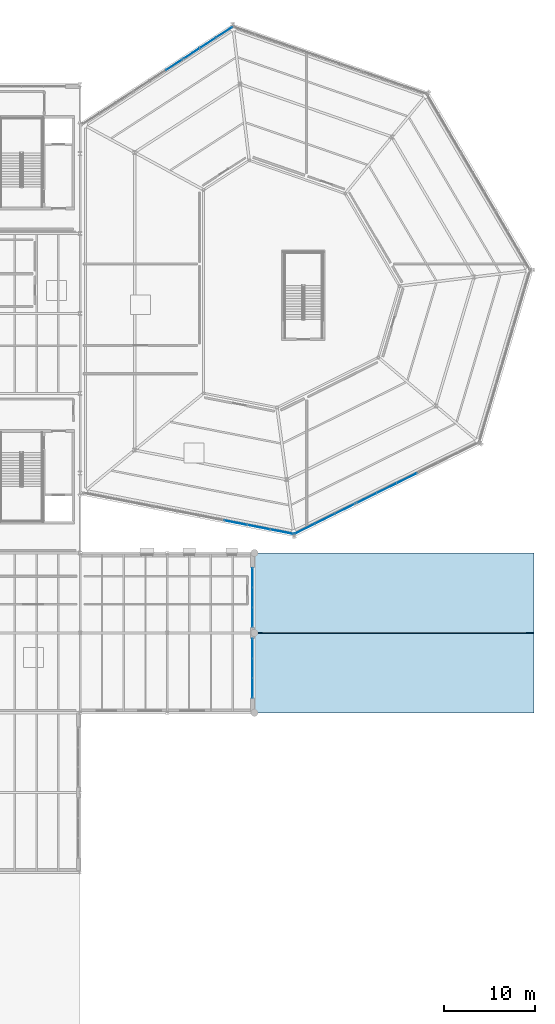
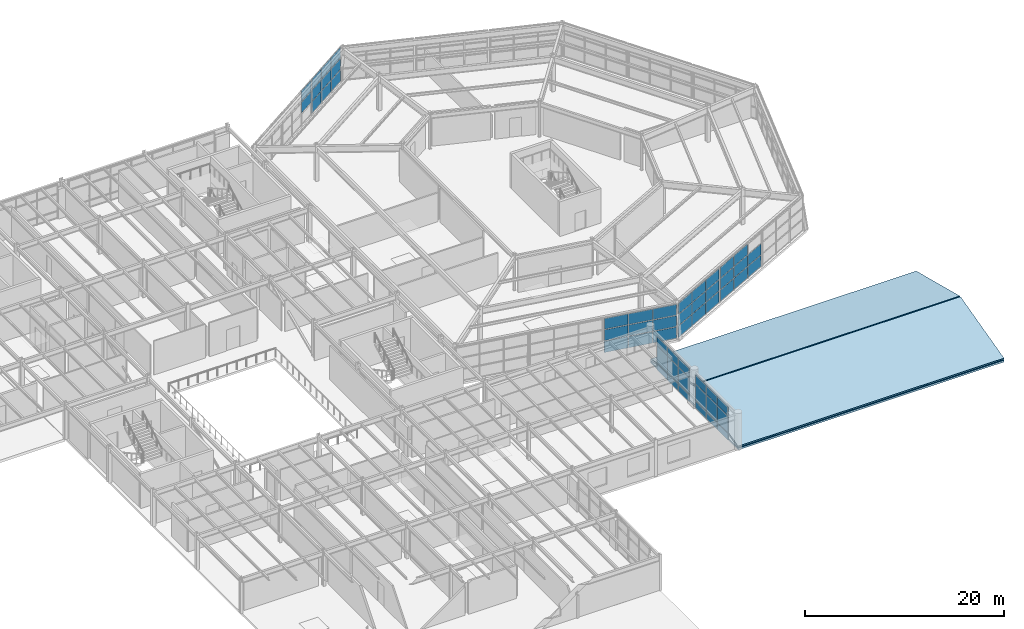
# One storey, part 50 of 77: 55 plates, 3 slabs, 7 elements without a shape of their own.
"""IFC4 building model written with IfcOpenShell, lengths in metres."""

from ifc_helpers import new_model, si_unit, direction, frame, origin, origin_2d, place, context, subcontext, project, spatial, polyline, rectangle, outline, extrude, material, layer, layer_set, type_object, element, aggregate, save


model = new_model("IFC4")

# Units and contexts
model_context = context("Model", 3, precision=1e-05, world=origin(), true_north=direction((0.0, 1.0)))
body_context = subcontext(model_context, "Body", "Model", "MODEL_VIEW")
ifc_project = project(units=[si_unit("LENGTHUNIT", "METRE"), si_unit("AREAUNIT", "SQUARE_METRE"), si_unit("VOLUMEUNIT", "CUBIC_METRE"), si_unit("PLANEANGLEUNIT", "RADIAN"), si_unit("MASSUNIT", "GRAM", prefix="KILO")], contexts=[model_context])

# Site, building, storey
site_placement = place(None, origin())
site = spatial("IfcSite", under=ifc_project, at=site_placement, CompositionType="ELEMENT")
building_placement = place(site_placement, origin())
building = spatial("IfcBuilding", under=site, at=building_placement, Name="Sarnbrook Museum", CompositionType="ELEMENT")
storey_placement = place(building_placement, frame((0.0, 0.0, 5.60009765625)))
storey = spatial("IfcBuildingStorey", under=building, at=storey_placement, Name="L01", CompositionType="ELEMENT", Elevation=5.60009765625)

# Curtain wall, plates
ifc_material_1 = material(Name="Thermally Broken Anodised Aluminium 6063-T6", Category="aluminium")
curtain_wall_type_1 = type_object("IfcCurtainWallType", Name="CurtainWall_CrystalFacet", PredefinedType="NOTDEFINED", material=ifc_material_1)
curtain_wall_1_placement = place(storey_placement, origin())
curtain_wall_1 = element("IfcCurtainWall", 1, at=curtain_wall_1_placement, inside=storey, type_object=curtain_wall_type_1, Name="Crystal Hall Facet Curtain Wall L01-F1.3", PredefinedType="NOTDEFINED")
ifc_material_2 = material(Name="Double-Glazed Low-Iron Laminated Safety Glass", Category="glass")
ifc_layer_1 = layer(ifc_material_2, 0.031982421875)
ifc_layer_set_1 = layer_set([ifc_layer_1], Name="Double-Glazed Low-Iron Laminated Safety Glass")
plate_type_1 = type_object("IfcPlateType", Name="CW_GlazedPanel_32", PredefinedType="CURTAIN_PANEL", material=ifc_layer_set_1)
plate_1_placement = place(storey_placement, frame((136.34765625, 60.150146484375, 2.14990234375), z_axis=(-0.19131739595, -0.981528223744, 0.0), x_axis=(0.981528223744, -0.19131739595, 0.0)))
plate_1 = element("IfcPlate", 2, at=plate_1_placement, type_object=plate_type_1, Name="Crystal Hall Facet Curtain Wall L01-F1.3 Glazed Panel 1-2", PredefinedType="CURTAIN_PANEL", context=body_context, shape_type="SweptSolid", body=[
    extrude(rectangle(XDim=2.507080078125, YDim=1.330078125, at=origin_2d()), origin(), (0.0, 0.0, 1.0), 0.031982421875),
])
plate_2_placement = place(storey_placement, frame((136.34765625, 60.150146484375, 3.544921875), z_axis=(-0.19131739595, -0.981528223744, 0.0), x_axis=(0.981528223744, -0.19131739595, 0.0)))
plate_2 = element("IfcPlate", 3, at=plate_2_placement, type_object=plate_type_1, Name="Crystal Hall Facet Curtain Wall L01-F1.3 Glazed Panel 1-3", PredefinedType="CURTAIN_PANEL", context=body_context, shape_type="SweptSolid", body=[
    extrude(rectangle(XDim=2.507080078125, YDim=1.320068359375, at=origin_2d()), origin(), (0.0, 0.0, 1.0), 0.031982421875),
])
plate_3_placement = place(storey_placement, frame((138.882080078125, 59.656005859375, 2.14990234375), z_axis=(-0.19131739595, -0.981528223744, 0.0), x_axis=(0.981528223744, -0.19131739595, 0.0)))
plate_3 = element("IfcPlate", 4, at=plate_3_placement, type_object=plate_type_1, Name="Crystal Hall Facet Curtain Wall L01-F1.3 Glazed Panel 2-2", PredefinedType="CURTAIN_PANEL", context=body_context, shape_type="SweptSolid", body=[
    extrude(rectangle(XDim=2.507080078125, YDim=1.330078125, at=origin_2d()), origin(), (0.0, 0.0, 1.0), 0.031982421875),
])
plate_4_placement = place(storey_placement, frame((138.882080078125, 59.656005859375, 3.544921875), z_axis=(-0.19131739595, -0.981528223744, 0.0), x_axis=(0.981528223744, -0.19131739595, 0.0)))
plate_4 = element("IfcPlate", 5, at=plate_4_placement, type_object=plate_type_1, Name="Crystal Hall Facet Curtain Wall L01-F1.3 Glazed Panel 2-3", PredefinedType="CURTAIN_PANEL", context=body_context, shape_type="SweptSolid", body=[
    extrude(rectangle(XDim=2.507080078125, YDim=1.320068359375, at=origin_2d()), origin(), (0.0, 0.0, 1.0), 0.031982421875),
])
plate_5_placement = place(storey_placement, frame((141.41650390625, 59.162109375, 2.14990234375), z_axis=(-0.19131739595, -0.981528223744, 0.0), x_axis=(0.981528223744, -0.19131739595, 0.0)))
plate_5 = element("IfcPlate", 6, at=plate_5_placement, type_object=plate_type_1, Name="Crystal Hall Facet Curtain Wall L01-F1.3 Glazed Panel 3-2", PredefinedType="CURTAIN_PANEL", context=body_context, shape_type="SweptSolid", body=[
    extrude(rectangle(XDim=2.507080078125, YDim=1.330078125, at=origin_2d()), origin(), (0.0, 0.0, 1.0), 0.031982421875),
])
plate_6_placement = place(storey_placement, frame((141.41650390625, 59.162109375, 3.544921875), z_axis=(-0.19131739595, -0.981528223744, 0.0), x_axis=(0.981528223744, -0.19131739595, 0.0)))
plate_6 = element("IfcPlate", 7, at=plate_6_placement, type_object=plate_type_1, Name="Crystal Hall Facet Curtain Wall L01-F1.3 Glazed Panel 3-3", PredefinedType="CURTAIN_PANEL", context=body_context, shape_type="SweptSolid", body=[
    extrude(rectangle(XDim=2.507080078125, YDim=1.320068359375, at=origin_2d()), origin(), (0.0, 0.0, 1.0), 0.031982421875),
])

curtain_wall_2_placement = place(storey_placement, origin())
curtain_wall_2 = element("IfcCurtainWall", 8, at=curtain_wall_2_placement, inside=storey, type_object=curtain_wall_type_1, Name="Crystal Hall Facet Curtain Wall L01-F2.1", PredefinedType="NOTDEFINED")
plate_7_placement = place(storey_placement, frame((143.938720703125, 59.484130859375, 2.14990234375), z_axis=(0.443728570944, -0.896161232886, 0.0), x_axis=(0.896161232886, 0.443728570944, 0.0)))
plate_7 = element("IfcPlate", 9, at=plate_7_placement, type_object=plate_type_1, Name="Crystal Hall Facet Curtain Wall L01-F2.1 Glazed Panel 1-2", PredefinedType="CURTAIN_PANEL", context=body_context, shape_type="SweptSolid", body=[
    extrude(rectangle(XDim=2.40185546875, YDim=1.330078125, at=origin_2d()), origin(), (0.0, 0.0, 1.0), 0.031982421875),
])
plate_8_placement = place(storey_placement, frame((143.938720703125, 59.484130859375, 3.544921875), z_axis=(0.443728570944, -0.896161232886, 0.0), x_axis=(0.896161232886, 0.443728570944, 0.0)))
plate_8 = element("IfcPlate", 10, at=plate_8_placement, type_object=plate_type_1, Name="Crystal Hall Facet Curtain Wall L01-F2.1 Glazed Panel 1-3", PredefinedType="CURTAIN_PANEL", context=body_context, shape_type="SweptSolid", body=[
    extrude(rectangle(XDim=2.40185546875, YDim=1.320068359375, at=origin_2d()), origin(), (0.0, 0.0, 1.0), 0.031982421875),
])
plate_9_placement = place(storey_placement, frame((146.158203125, 60.583251953125, 2.14990234375), z_axis=(0.443728570944, -0.896161232886, 0.0), x_axis=(0.896161232886, 0.443728570944, 0.0)))
plate_9 = element("IfcPlate", 11, at=plate_9_placement, type_object=plate_type_1, Name="Crystal Hall Facet Curtain Wall L01-F2.1 Glazed Panel 2-2", PredefinedType="CURTAIN_PANEL", context=body_context, shape_type="SweptSolid", body=[
    extrude(rectangle(XDim=2.40185546875, YDim=1.330078125, at=origin_2d()), origin(), (0.0, 0.0, 1.0), 0.031982421875),
])
plate_10_placement = place(storey_placement, frame((146.158203125, 60.583251953125, 3.544921875), z_axis=(0.443728570944, -0.896161232886, 0.0), x_axis=(0.896161232886, 0.443728570944, 0.0)))
plate_10 = element("IfcPlate", 12, at=plate_10_placement, type_object=plate_type_1, Name="Crystal Hall Facet Curtain Wall L01-F2.1 Glazed Panel 2-3", PredefinedType="CURTAIN_PANEL", context=body_context, shape_type="SweptSolid", body=[
    extrude(rectangle(XDim=2.40185546875, YDim=1.320068359375, at=origin_2d()), origin(), (0.0, 0.0, 1.0), 0.031982421875),
])
plate_11_placement = place(storey_placement, frame((148.3779296875, 61.682373046875, 2.14990234375), z_axis=(0.443728570944, -0.896161232886, 0.0), x_axis=(0.896161232886, 0.443728570944, 0.0)))
plate_11 = element("IfcPlate", 13, at=plate_11_placement, type_object=plate_type_1, Name="Crystal Hall Facet Curtain Wall L01-F2.1 Glazed Panel 3-2", PredefinedType="CURTAIN_PANEL", context=body_context, shape_type="SweptSolid", body=[
    extrude(rectangle(XDim=2.40185546875, YDim=1.330078125, at=origin_2d()), origin(), (0.0, 0.0, 1.0), 0.031982421875),
])
plate_12_placement = place(storey_placement, frame((148.3779296875, 61.682373046875, 3.544921875), z_axis=(0.443728570944, -0.896161232886, 0.0), x_axis=(0.896161232886, 0.443728570944, 0.0)))
plate_12 = element("IfcPlate", 14, at=plate_12_placement, type_object=plate_type_1, Name="Crystal Hall Facet Curtain Wall L01-F2.1 Glazed Panel 3-3", PredefinedType="CURTAIN_PANEL", context=body_context, shape_type="SweptSolid", body=[
    extrude(rectangle(XDim=2.40185546875, YDim=1.320068359375, at=origin_2d()), origin(), (0.0, 0.0, 1.0), 0.031982421875),
])

curtain_wall_3_placement = place(storey_placement, origin())
curtain_wall_3 = element("IfcCurtainWall", 15, at=curtain_wall_3_placement, inside=storey, type_object=curtain_wall_type_1, Name="Crystal Hall Facet Curtain Wall L01-F2.2", PredefinedType="NOTDEFINED")
plate_13_placement = place(storey_placement, frame((150.74072265625, 62.852294921875, 2.14990234375), z_axis=(0.443728570944, -0.896161232886, 0.0), x_axis=(0.896161232886, 0.443728570944, 0.0)))
plate_13 = element("IfcPlate", 16, at=plate_13_placement, type_object=plate_type_1, Name="Crystal Hall Facet Curtain Wall L01-F2.2 Glazed Panel 1-2", PredefinedType="CURTAIN_PANEL", context=body_context, shape_type="SweptSolid", body=[
    extrude(rectangle(XDim=2.40185546875, YDim=1.330078125, at=origin_2d()), origin(), (0.0, 0.0, 1.0), 0.031982421875),
])
plate_14_placement = place(storey_placement, frame((150.74072265625, 62.852294921875, 3.544921875), z_axis=(0.443728570944, -0.896161232886, 0.0), x_axis=(0.896161232886, 0.443728570944, 0.0)))
plate_14 = element("IfcPlate", 17, at=plate_14_placement, type_object=plate_type_1, Name="Crystal Hall Facet Curtain Wall L01-F2.2 Glazed Panel 1-3", PredefinedType="CURTAIN_PANEL", context=body_context, shape_type="SweptSolid", body=[
    extrude(rectangle(XDim=2.40185546875, YDim=1.320068359375, at=origin_2d()), origin(), (0.0, 0.0, 1.0), 0.031982421875),
])
plate_15_placement = place(storey_placement, frame((152.960205078125, 63.951416015625, 2.14990234375), z_axis=(0.443728570944, -0.896161232886, 0.0), x_axis=(0.896161232886, 0.443728570944, 0.0)))
plate_15 = element("IfcPlate", 18, at=plate_15_placement, type_object=plate_type_1, Name="Crystal Hall Facet Curtain Wall L01-F2.2 Glazed Panel 2-2", PredefinedType="CURTAIN_PANEL", context=body_context, shape_type="SweptSolid", body=[
    extrude(rectangle(XDim=2.40185546875, YDim=1.330078125, at=origin_2d()), origin(), (0.0, 0.0, 1.0), 0.031982421875),
])
plate_16_placement = place(storey_placement, frame((152.960205078125, 63.951416015625, 3.544921875), z_axis=(0.443728570944, -0.896161232886, 0.0), x_axis=(0.896161232886, 0.443728570944, 0.0)))
plate_16 = element("IfcPlate", 19, at=plate_16_placement, type_object=plate_type_1, Name="Crystal Hall Facet Curtain Wall L01-F2.2 Glazed Panel 2-3", PredefinedType="CURTAIN_PANEL", context=body_context, shape_type="SweptSolid", body=[
    extrude(rectangle(XDim=2.40185546875, YDim=1.320068359375, at=origin_2d()), origin(), (0.0, 0.0, 1.0), 0.031982421875),
])
plate_17_placement = place(storey_placement, frame((155.179931640625, 65.05029296875, 2.14990234375), z_axis=(0.443728570944, -0.896161232886, 0.0), x_axis=(0.896161232886, 0.443728570944, 0.0)))
plate_17 = element("IfcPlate", 20, at=plate_17_placement, type_object=plate_type_1, Name="Crystal Hall Facet Curtain Wall L01-F2.2 Glazed Panel 3-2", PredefinedType="CURTAIN_PANEL", context=body_context, shape_type="SweptSolid", body=[
    extrude(rectangle(XDim=2.40185546875, YDim=1.330078125, at=origin_2d()), origin(), (0.0, 0.0, 1.0), 0.031982421875),
])

curtain_wall_4_placement = place(storey_placement, origin())
curtain_wall_4 = element("IfcCurtainWall", 21, at=curtain_wall_4_placement, inside=storey, type_object=curtain_wall_type_1, Name="Crystal Hall Facet Curtain Wall L01-F6.1", PredefinedType="NOTDEFINED")
plate_18_placement = place(storey_placement, frame((135.0771484375, 114.158935546875, 2.14990234375), z_axis=(-0.544286708272, 0.838899266419, 0.0), x_axis=(-0.838899266419, -0.544286708272, 0.0)))
plate_18 = element("IfcPlate", 22, at=plate_18_placement, type_object=plate_type_1, Name="Crystal Hall Facet Curtain Wall L01-F6.1 Glazed Panel 1-2", PredefinedType="CURTAIN_PANEL", context=body_context, shape_type="SweptSolid", body=[
    extrude(rectangle(XDim=2.064697265625, YDim=1.330078125, at=origin_2d()), origin(), (0.0, 0.0, 1.0), 0.031982421875),
])
plate_19_placement = place(storey_placement, frame((135.0771484375, 114.158935546875, 3.544921875), z_axis=(-0.544286708272, 0.838899266419, 0.0), x_axis=(-0.838899266419, -0.544286708272, 0.0)))
plate_19 = element("IfcPlate", 23, at=plate_19_placement, type_object=plate_type_1, Name="Crystal Hall Facet Curtain Wall L01-F6.1 Glazed Panel 1-3", PredefinedType="CURTAIN_PANEL", context=body_context, shape_type="SweptSolid", body=[
    extrude(rectangle(XDim=2.064697265625, YDim=1.320068359375, at=origin_2d()), origin(), (0.0, 0.0, 1.0), 0.031982421875),
])
plate_20_placement = place(storey_placement, frame((133.281982421875, 112.994384765625, 2.14990234375), z_axis=(-0.544286708272, 0.838899266419, 0.0), x_axis=(-0.838899266419, -0.544286708272, 0.0)))
plate_20 = element("IfcPlate", 24, at=plate_20_placement, type_object=plate_type_1, Name="Crystal Hall Facet Curtain Wall L01-F6.1 Glazed Panel 2-2", PredefinedType="CURTAIN_PANEL", context=body_context, shape_type="SweptSolid", body=[
    extrude(rectangle(XDim=2.064697265625, YDim=1.330078125, at=origin_2d()), origin(), (0.0, 0.0, 1.0), 0.031982421875),
])
plate_21_placement = place(storey_placement, frame((133.281982421875, 112.994384765625, 3.544921875), z_axis=(-0.544286708272, 0.838899266419, 0.0), x_axis=(-0.838899266419, -0.544286708272, 0.0)))
plate_21 = element("IfcPlate", 25, at=plate_21_placement, type_object=plate_type_1, Name="Crystal Hall Facet Curtain Wall L01-F6.1 Glazed Panel 2-3", PredefinedType="CURTAIN_PANEL", context=body_context, shape_type="SweptSolid", body=[
    extrude(rectangle(XDim=2.064697265625, YDim=1.320068359375, at=origin_2d()), origin(), (0.0, 0.0, 1.0), 0.031982421875),
])
plate_22_placement = place(storey_placement, frame((131.487060546875, 111.82958984375, 2.14990234375), z_axis=(-0.544286708272, 0.838899266419, 0.0), x_axis=(-0.838899266419, -0.544286708272, 0.0)))
plate_22 = element("IfcPlate", 26, at=plate_22_placement, type_object=plate_type_1, Name="Crystal Hall Facet Curtain Wall L01-F6.1 Glazed Panel 3-2", PredefinedType="CURTAIN_PANEL", context=body_context, shape_type="SweptSolid", body=[
    extrude(rectangle(XDim=2.064697265625, YDim=1.330078125, at=origin_2d()), origin(), (0.0, 0.0, 1.0), 0.031982421875),
])
plate_23_placement = place(storey_placement, frame((131.487060546875, 111.82958984375, 3.544921875), z_axis=(-0.544286708272, 0.838899266419, 0.0), x_axis=(-0.838899266419, -0.544286708272, 0.0)))
plate_23 = element("IfcPlate", 27, at=plate_23_placement, type_object=plate_type_1, Name="Crystal Hall Facet Curtain Wall L01-F6.1 Glazed Panel 3-3", PredefinedType="CURTAIN_PANEL", context=body_context, shape_type="SweptSolid", body=[
    extrude(rectangle(XDim=2.064697265625, YDim=1.320068359375, at=origin_2d()), origin(), (0.0, 0.0, 1.0), 0.031982421875),
])

curtain_wall_5_placement = place(storey_placement, origin())
curtain_wall_5 = element("IfcCurtainWall", 28, at=curtain_wall_5_placement, inside=storey, type_object=curtain_wall_type_1, Name="Crystal Hall Facet Curtain Wall L01-F6.2", PredefinedType="NOTDEFINED")
plate_24_placement = place(storey_placement, frame((129.557861328125, 110.577880859375, 2.14990234375), z_axis=(-0.544286708272, 0.838899266419, 0.0), x_axis=(-0.838899266419, -0.544286708272, 0.0)))
plate_24 = element("IfcPlate", 29, at=plate_24_placement, type_object=plate_type_1, Name="Crystal Hall Facet Curtain Wall L01-F6.2 Glazed Panel 1-2", PredefinedType="CURTAIN_PANEL", context=body_context, shape_type="SweptSolid", body=[
    extrude(rectangle(XDim=2.064697265625, YDim=1.330078125, at=origin_2d()), origin(), (0.0, 0.0, 1.0), 0.031982421875),
])
plate_25_placement = place(storey_placement, frame((129.557861328125, 110.577880859375, 3.544921875), z_axis=(-0.544286708272, 0.838899266419, 0.0), x_axis=(-0.838899266419, -0.544286708272, 0.0)))
plate_25 = element("IfcPlate", 30, at=plate_25_placement, type_object=plate_type_1, Name="Crystal Hall Facet Curtain Wall L01-F6.2 Glazed Panel 1-3", PredefinedType="CURTAIN_PANEL", context=body_context, shape_type="SweptSolid", body=[
    extrude(rectangle(XDim=2.064697265625, YDim=1.320068359375, at=origin_2d()), origin(), (0.0, 0.0, 1.0), 0.031982421875),
])
aggregate(curtain_wall_5, [plate_24, plate_25])

curtain_wall_type_2 = type_object("IfcCurtainWallType", Name="CurtainWall_GalleryRibbon", PredefinedType="NOTDEFINED", material=ifc_material_1)
curtain_wall_6_placement = place(storey_placement, origin())
curtain_wall_6 = element("IfcCurtainWall", 31, at=curtain_wall_6_placement, inside=storey, type_object=curtain_wall_type_2, Name="Gallery Ribbon Curtain Wall L01-4.1", PredefinedType="NOTDEFINED")
plate_26_placement = place(storey_placement, frame((138.18212890625, 41.913330078125, 1.949951171875), z_axis=(1.0, 0.0, 0.0), x_axis=(0.0, 1.0, 0.0)))
plate_26 = element("IfcPlate", 32, at=plate_26_placement, type_object=plate_type_1, Name="Gallery Ribbon Curtain Wall L01-4.1 Glazed Panel 1-2", PredefinedType="CURTAIN_PANEL", context=body_context, shape_type="SweptSolid", body=[
    extrude(rectangle(XDim=2.11181640625, YDim=2.030029296875, at=origin_2d()), origin(), (0.0, 0.0, 1.0), 0.031982421875),
])
plate_27_placement = place(storey_placement, frame((138.18212890625, 41.913330078125, 3.579833984375), z_axis=(1.0, 0.0, 0.0), x_axis=(0.0, 1.0, 0.0)))
plate_27 = element("IfcPlate", 33, at=plate_27_placement, type_object=plate_type_1, Name="Gallery Ribbon Curtain Wall L01-4.1 Glazed Panel 1-3", PredefinedType="CURTAIN_PANEL", context=body_context, shape_type="SweptSolid", body=[
    extrude(rectangle(XDim=2.11181640625, YDim=1.090087890625, at=origin_2d()), origin(), (0.0, 0.0, 1.0), 0.031982421875),
])
plate_28_placement = place(storey_placement, frame((138.18212890625, 44.10009765625, 1.949951171875), z_axis=(1.0, 0.0, 0.0), x_axis=(0.0, 1.0, 0.0)))
plate_28 = element("IfcPlate", 34, at=plate_28_placement, type_object=plate_type_1, Name="Gallery Ribbon Curtain Wall L01-4.1 Glazed Panel 2-2", PredefinedType="CURTAIN_PANEL", context=body_context, shape_type="SweptSolid", body=[
    extrude(rectangle(XDim=2.11181640625, YDim=2.030029296875, at=origin_2d()), origin(), (0.0, 0.0, 1.0), 0.031982421875),
])
plate_29_placement = place(storey_placement, frame((138.18212890625, 44.10009765625, 3.579833984375), z_axis=(1.0, 0.0, 0.0), x_axis=(0.0, 1.0, 0.0)))
plate_29 = element("IfcPlate", 35, at=plate_29_placement, type_object=plate_type_1, Name="Gallery Ribbon Curtain Wall L01-4.1 Glazed Panel 2-3", PredefinedType="CURTAIN_PANEL", context=body_context, shape_type="SweptSolid", body=[
    extrude(rectangle(XDim=2.11181640625, YDim=1.090087890625, at=origin_2d()), origin(), (0.0, 0.0, 1.0), 0.031982421875),
])
plate_30_placement = place(storey_placement, frame((138.18212890625, 46.28662109375, 1.949951171875), z_axis=(1.0, 0.0, 0.0), x_axis=(0.0, 1.0, 0.0)))
plate_30 = element("IfcPlate", 36, at=plate_30_placement, type_object=plate_type_1, Name="Gallery Ribbon Curtain Wall L01-4.1 Glazed Panel 3-2", PredefinedType="CURTAIN_PANEL", context=body_context, shape_type="SweptSolid", body=[
    extrude(rectangle(XDim=2.11181640625, YDim=2.030029296875, at=origin_2d()), origin(), (0.0, 0.0, 1.0), 0.031982421875),
])
plate_31_placement = place(storey_placement, frame((138.18212890625, 46.28662109375, 3.579833984375), z_axis=(1.0, 0.0, 0.0), x_axis=(0.0, 1.0, 0.0)))
plate_31 = element("IfcPlate", 37, at=plate_31_placement, type_object=plate_type_1, Name="Gallery Ribbon Curtain Wall L01-4.1 Glazed Panel 3-3", PredefinedType="CURTAIN_PANEL", context=body_context, shape_type="SweptSolid", body=[
    extrude(rectangle(XDim=2.11181640625, YDim=1.090087890625, at=origin_2d()), origin(), (0.0, 0.0, 1.0), 0.031982421875),
])

curtain_wall_7_placement = place(storey_placement, origin())
curtain_wall_7 = element("IfcCurtainWall", 38, at=curtain_wall_7_placement, inside=storey, type_object=curtain_wall_type_2, Name="Gallery Ribbon Curtain Wall L01-4.2", PredefinedType="NOTDEFINED")
plate_32_placement = place(storey_placement, frame((138.18212890625, 49.71337890625, 1.949951171875), z_axis=(1.0, 0.0, 0.0), x_axis=(0.0, 1.0, 0.0)))
plate_32 = element("IfcPlate", 39, at=plate_32_placement, type_object=plate_type_1, Name="Gallery Ribbon Curtain Wall L01-4.2 Glazed Panel 1-2", PredefinedType="CURTAIN_PANEL", context=body_context, shape_type="SweptSolid", body=[
    extrude(rectangle(XDim=2.11181640625, YDim=2.030029296875, at=origin_2d()), origin(), (0.0, 0.0, 1.0), 0.031982421875),
])
plate_33_placement = place(storey_placement, frame((138.18212890625, 49.71337890625, 3.579833984375), z_axis=(1.0, 0.0, 0.0), x_axis=(0.0, 1.0, 0.0)))
plate_33 = element("IfcPlate", 40, at=plate_33_placement, type_object=plate_type_1, Name="Gallery Ribbon Curtain Wall L01-4.2 Glazed Panel 1-3", PredefinedType="CURTAIN_PANEL", context=body_context, shape_type="SweptSolid", body=[
    extrude(rectangle(XDim=2.11181640625, YDim=1.090087890625, at=origin_2d()), origin(), (0.0, 0.0, 1.0), 0.031982421875),
])
plate_34_placement = place(storey_placement, frame((138.18212890625, 51.89990234375, 1.949951171875), z_axis=(1.0, 0.0, 0.0), x_axis=(0.0, 1.0, 0.0)))
plate_34 = element("IfcPlate", 41, at=plate_34_placement, type_object=plate_type_1, Name="Gallery Ribbon Curtain Wall L01-4.2 Glazed Panel 2-2", PredefinedType="CURTAIN_PANEL", context=body_context, shape_type="SweptSolid", body=[
    extrude(rectangle(XDim=2.11181640625, YDim=2.030029296875, at=origin_2d()), origin(), (0.0, 0.0, 1.0), 0.031982421875),
])
plate_35_placement = place(storey_placement, frame((138.18212890625, 51.89990234375, 3.579833984375), z_axis=(1.0, 0.0, 0.0), x_axis=(0.0, 1.0, 0.0)))
plate_35 = element("IfcPlate", 42, at=plate_35_placement, type_object=plate_type_1, Name="Gallery Ribbon Curtain Wall L01-4.2 Glazed Panel 2-3", PredefinedType="CURTAIN_PANEL", context=body_context, shape_type="SweptSolid", body=[
    extrude(rectangle(XDim=2.11181640625, YDim=1.090087890625, at=origin_2d()), origin(), (0.0, 0.0, 1.0), 0.031982421875),
])
plate_36_placement = place(storey_placement, frame((138.18212890625, 54.086669921875, 1.949951171875), z_axis=(1.0, 0.0, 0.0), x_axis=(0.0, 1.0, 0.0)))
plate_36 = element("IfcPlate", 43, at=plate_36_placement, type_object=plate_type_1, Name="Gallery Ribbon Curtain Wall L01-4.2 Glazed Panel 3-2", PredefinedType="CURTAIN_PANEL", context=body_context, shape_type="SweptSolid", body=[
    extrude(rectangle(XDim=2.11181640625, YDim=2.030029296875, at=origin_2d()), origin(), (0.0, 0.0, 1.0), 0.031982421875),
])
plate_37_placement = place(storey_placement, frame((138.18212890625, 54.086669921875, 3.579833984375), z_axis=(1.0, 0.0, 0.0), x_axis=(0.0, 1.0, 0.0)))
plate_37 = element("IfcPlate", 44, at=plate_37_placement, type_object=plate_type_1, Name="Gallery Ribbon Curtain Wall L01-4.2 Glazed Panel 3-3", PredefinedType="CURTAIN_PANEL", context=body_context, shape_type="SweptSolid", body=[
    extrude(rectangle(XDim=2.11181640625, YDim=1.090087890625, at=origin_2d()), origin(), (0.0, 0.0, 1.0), 0.031982421875),
])

# Plate
ifc_material_3 = material(Name="Patinated Architectural Bronze")
ifc_layer_2 = layer(ifc_material_3, 0.044921875)
ifc_layer_set_2 = layer_set([ifc_layer_2], Name="Patinated Architectural Bronze")
plate_type_2 = type_object("IfcPlateType", Name="CW_SpandrelPanel_45", PredefinedType="CURTAIN_PANEL", material=ifc_layer_set_2)
plate_38_placement = place(storey_placement, frame((136.348876953125, 60.156494140625, 0.724853515625), z_axis=(-0.19131739595, -0.981528223744, 0.0), x_axis=(0.981528223744, -0.19131739595, 0.0)))
plate_38 = element("IfcPlate", 45, at=plate_38_placement, type_object=plate_type_2, Name="Crystal Hall Facet Curtain Wall L01-F1.3 Spandrel Panel 1-1", PredefinedType="CURTAIN_PANEL", context=body_context, shape_type="SweptSolid", body=[
    extrude(rectangle(XDim=2.507080078125, YDim=1.3798828125, at=origin_2d()), origin(), (0.0, 0.0, 1.0), 0.044921875),
])

plate_39_placement = place(storey_placement, frame((138.88330078125, 59.662353515625, 0.724853515625), z_axis=(-0.19131739595, -0.981528223744, 0.0), x_axis=(0.981528223744, -0.19131739595, 0.0)))
plate_39 = element("IfcPlate", 46, at=plate_39_placement, type_object=plate_type_2, Name="Crystal Hall Facet Curtain Wall L01-F1.3 Spandrel Panel 2-1", PredefinedType="CURTAIN_PANEL", context=body_context, shape_type="SweptSolid", body=[
    extrude(rectangle(XDim=2.507080078125, YDim=1.3798828125, at=origin_2d()), origin(), (0.0, 0.0, 1.0), 0.044921875),
])

plate_40_placement = place(storey_placement, frame((141.417724609375, 59.16845703125, 0.724853515625), z_axis=(-0.19131739595, -0.981528223744, 0.0), x_axis=(0.981528223744, -0.19131739595, 0.0)))
plate_40 = element("IfcPlate", 47, at=plate_40_placement, type_object=plate_type_2, Name="Crystal Hall Facet Curtain Wall L01-F1.3 Spandrel Panel 3-1", PredefinedType="CURTAIN_PANEL", context=body_context, shape_type="SweptSolid", body=[
    extrude(rectangle(XDim=2.507080078125, YDim=1.3798828125, at=origin_2d()), origin(), (0.0, 0.0, 1.0), 0.044921875),
])

aggregate(curtain_wall_1, [plate_38, plate_1, plate_2, plate_39, plate_3, plate_4, plate_40, plate_5, plate_6])

plate_41_placement = place(storey_placement, frame((143.935791015625, 59.48974609375, 0.724853515625), z_axis=(0.443728570944, -0.896161232886, 0.0), x_axis=(0.896161232886, 0.443728570944, 0.0)))
plate_41 = element("IfcPlate", 48, at=plate_41_placement, type_object=plate_type_2, Name="Crystal Hall Facet Curtain Wall L01-F2.1 Spandrel Panel 1-1", PredefinedType="CURTAIN_PANEL", context=body_context, shape_type="SweptSolid", body=[
    extrude(rectangle(XDim=2.40185546875, YDim=1.3798828125, at=origin_2d()), origin(), (0.0, 0.0, 1.0), 0.044921875),
])

plate_42_placement = place(storey_placement, frame((146.1552734375, 60.5888671875, 0.724853515625), z_axis=(0.443728570944, -0.896161232886, 0.0), x_axis=(0.896161232886, 0.443728570944, 0.0)))
plate_42 = element("IfcPlate", 49, at=plate_42_placement, type_object=plate_type_2, Name="Crystal Hall Facet Curtain Wall L01-F2.1 Spandrel Panel 2-1", PredefinedType="CURTAIN_PANEL", context=body_context, shape_type="SweptSolid", body=[
    extrude(rectangle(XDim=2.40185546875, YDim=1.3798828125, at=origin_2d()), origin(), (0.0, 0.0, 1.0), 0.044921875),
])

plate_43_placement = place(storey_placement, frame((148.375, 61.68798828125, 0.724853515625), z_axis=(0.443728570944, -0.896161232886, 0.0), x_axis=(0.896161232886, 0.443728570944, 0.0)))
plate_43 = element("IfcPlate", 50, at=plate_43_placement, type_object=plate_type_2, Name="Crystal Hall Facet Curtain Wall L01-F2.1 Spandrel Panel 3-1", PredefinedType="CURTAIN_PANEL", context=body_context, shape_type="SweptSolid", body=[
    extrude(rectangle(XDim=2.40185546875, YDim=1.3798828125, at=origin_2d()), origin(), (0.0, 0.0, 1.0), 0.044921875),
])

aggregate(curtain_wall_2, [plate_41, plate_7, plate_8, plate_42, plate_9, plate_10, plate_43, plate_11, plate_12])

plate_44_placement = place(storey_placement, frame((150.73779296875, 62.85791015625, 0.724853515625), z_axis=(0.443728570944, -0.896161232886, 0.0), x_axis=(0.896161232886, 0.443728570944, 0.0)))
plate_44 = element("IfcPlate", 51, at=plate_44_placement, type_object=plate_type_2, Name="Crystal Hall Facet Curtain Wall L01-F2.2 Spandrel Panel 1-1", PredefinedType="CURTAIN_PANEL", context=body_context, shape_type="SweptSolid", body=[
    extrude(rectangle(XDim=2.40185546875, YDim=1.3798828125, at=origin_2d()), origin(), (0.0, 0.0, 1.0), 0.044921875),
])

plate_45_placement = place(storey_placement, frame((152.957275390625, 63.95703125, 0.724853515625), z_axis=(0.443728570944, -0.896161232886, 0.0), x_axis=(0.896161232886, 0.443728570944, 0.0)))
plate_45 = element("IfcPlate", 52, at=plate_45_placement, type_object=plate_type_2, Name="Crystal Hall Facet Curtain Wall L01-F2.2 Spandrel Panel 2-1", PredefinedType="CURTAIN_PANEL", context=body_context, shape_type="SweptSolid", body=[
    extrude(rectangle(XDim=2.40185546875, YDim=1.3798828125, at=origin_2d()), origin(), (0.0, 0.0, 1.0), 0.044921875),
])

plate_46_placement = place(storey_placement, frame((155.177001953125, 65.055908203125, 0.724853515625), z_axis=(0.443728570944, -0.896161232886, 0.0), x_axis=(0.896161232886, 0.443728570944, 0.0)))
plate_46 = element("IfcPlate", 53, at=plate_46_placement, type_object=plate_type_2, Name="Crystal Hall Facet Curtain Wall L01-F2.2 Spandrel Panel 3-1", PredefinedType="CURTAIN_PANEL", context=body_context, shape_type="SweptSolid", body=[
    extrude(rectangle(XDim=2.40185546875, YDim=1.3798828125, at=origin_2d()), origin(), (0.0, 0.0, 1.0), 0.044921875),
])

aggregate(curtain_wall_3, [plate_44, plate_13, plate_14, plate_45, plate_15, plate_16, plate_46, plate_17])

plate_47_placement = place(storey_placement, frame((135.08056640625, 114.153564453125, 0.724853515625), z_axis=(-0.544286708272, 0.838899266419, 0.0), x_axis=(-0.838899266419, -0.544286708272, 0.0)))
plate_47 = element("IfcPlate", 54, at=plate_47_placement, type_object=plate_type_2, Name="Crystal Hall Facet Curtain Wall L01-F6.1 Spandrel Panel 1-1", PredefinedType="CURTAIN_PANEL", context=body_context, shape_type="SweptSolid", body=[
    extrude(rectangle(XDim=2.064697265625, YDim=1.3798828125, at=origin_2d()), origin(), (0.0, 0.0, 1.0), 0.044921875),
])

plate_48_placement = place(storey_placement, frame((133.285400390625, 112.989013671875, 0.724853515625), z_axis=(-0.544286708272, 0.838899266419, 0.0), x_axis=(-0.838899266419, -0.544286708272, 0.0)))
plate_48 = element("IfcPlate", 55, at=plate_48_placement, type_object=plate_type_2, Name="Crystal Hall Facet Curtain Wall L01-F6.1 Spandrel Panel 2-1", PredefinedType="CURTAIN_PANEL", context=body_context, shape_type="SweptSolid", body=[
    extrude(rectangle(XDim=2.064697265625, YDim=1.3798828125, at=origin_2d()), origin(), (0.0, 0.0, 1.0), 0.044921875),
])

plate_49_placement = place(storey_placement, frame((131.490478515625, 111.82421875, 0.724853515625), z_axis=(-0.544286708272, 0.838899266419, 0.0), x_axis=(-0.838899266419, -0.544286708272, 0.0)))
plate_49 = element("IfcPlate", 56, at=plate_49_placement, type_object=plate_type_2, Name="Crystal Hall Facet Curtain Wall L01-F6.1 Spandrel Panel 3-1", PredefinedType="CURTAIN_PANEL", context=body_context, shape_type="SweptSolid", body=[
    extrude(rectangle(XDim=2.064697265625, YDim=1.3798828125, at=origin_2d()), origin(), (0.0, 0.0, 1.0), 0.044921875),
])

aggregate(curtain_wall_4, [plate_47, plate_18, plate_19, plate_48, plate_20, plate_21, plate_49, plate_22, plate_23])

plate_50_placement = place(storey_placement, frame((138.175537109375, 41.913330078125, 0.449951171875), z_axis=(1.0, 0.0, 0.0), x_axis=(0.0, 1.0, 0.0)))
plate_50 = element("IfcPlate", 57, at=plate_50_placement, type_object=plate_type_2, Name="Gallery Ribbon Curtain Wall L01-4.1 Spandrel Panel 1-1", PredefinedType="CURTAIN_PANEL", context=body_context, shape_type="SweptSolid", body=[
    extrude(rectangle(XDim=2.11181640625, YDim=0.830078125, at=origin_2d()), origin(), (0.0, 0.0, 1.0), 0.044921875),
])

plate_51_placement = place(storey_placement, frame((138.175537109375, 44.10009765625, 0.449951171875), z_axis=(1.0, 0.0, 0.0), x_axis=(0.0, 1.0, 0.0)))
plate_51 = element("IfcPlate", 58, at=plate_51_placement, type_object=plate_type_2, Name="Gallery Ribbon Curtain Wall L01-4.1 Spandrel Panel 2-1", PredefinedType="CURTAIN_PANEL", context=body_context, shape_type="SweptSolid", body=[
    extrude(rectangle(XDim=2.11181640625, YDim=0.830078125, at=origin_2d()), origin(), (0.0, 0.0, 1.0), 0.044921875),
])

plate_52_placement = place(storey_placement, frame((138.175537109375, 46.28662109375, 0.449951171875), z_axis=(1.0, 0.0, 0.0), x_axis=(0.0, 1.0, 0.0)))
plate_52 = element("IfcPlate", 59, at=plate_52_placement, type_object=plate_type_2, Name="Gallery Ribbon Curtain Wall L01-4.1 Spandrel Panel 3-1", PredefinedType="CURTAIN_PANEL", context=body_context, shape_type="SweptSolid", body=[
    extrude(rectangle(XDim=2.11181640625, YDim=0.830078125, at=origin_2d()), origin(), (0.0, 0.0, 1.0), 0.044921875),
])

aggregate(curtain_wall_6, [plate_50, plate_26, plate_27, plate_51, plate_28, plate_29, plate_52, plate_30, plate_31])

plate_53_placement = place(storey_placement, frame((138.175537109375, 49.71337890625, 0.449951171875), z_axis=(1.0, 0.0, 0.0), x_axis=(0.0, 1.0, 0.0)))
plate_53 = element("IfcPlate", 60, at=plate_53_placement, type_object=plate_type_2, Name="Gallery Ribbon Curtain Wall L01-4.2 Spandrel Panel 1-1", PredefinedType="CURTAIN_PANEL", context=body_context, shape_type="SweptSolid", body=[
    extrude(rectangle(XDim=2.11181640625, YDim=0.830078125, at=origin_2d()), origin(), (0.0, 0.0, 1.0), 0.044921875),
])

plate_54_placement = place(storey_placement, frame((138.175537109375, 51.89990234375, 0.449951171875), z_axis=(1.0, 0.0, 0.0), x_axis=(0.0, 1.0, 0.0)))
plate_54 = element("IfcPlate", 61, at=plate_54_placement, type_object=plate_type_2, Name="Gallery Ribbon Curtain Wall L01-4.2 Spandrel Panel 2-1", PredefinedType="CURTAIN_PANEL", context=body_context, shape_type="SweptSolid", body=[
    extrude(rectangle(XDim=2.11181640625, YDim=0.830078125, at=origin_2d()), origin(), (0.0, 0.0, 1.0), 0.044921875),
])

plate_55_placement = place(storey_placement, frame((138.175537109375, 54.086669921875, 0.449951171875), z_axis=(1.0, 0.0, 0.0), x_axis=(0.0, 1.0, 0.0)))
plate_55 = element("IfcPlate", 62, at=plate_55_placement, type_object=plate_type_2, Name="Gallery Ribbon Curtain Wall L01-4.2 Spandrel Panel 3-1", PredefinedType="CURTAIN_PANEL", context=body_context, shape_type="SweptSolid", body=[
    extrude(rectangle(XDim=2.11181640625, YDim=0.830078125, at=origin_2d()), origin(), (0.0, 0.0, 1.0), 0.044921875),
])

aggregate(curtain_wall_7, [plate_53, plate_32, plate_33, plate_54, plate_34, plate_35, plate_55, plate_36, plate_37])

# Slabs
ifc_material_4 = material(Name="Concrete N40 (AS 3600, f'c = 40 MPa)", Category="concrete")
ifc_layer_3 = layer(ifc_material_4, 0.22998046875)
ifc_layer_set_3 = layer_set([ifc_layer_3], Name="Concrete N40 (AS 3600, f'c = 40 MPa)")
slab_type_1 = type_object("IfcSlabType", Name="RoofSlab_Portico230", PredefinedType="ROOF", material=ifc_layer_set_3)
slab_placement = place(storey_placement, frame((0.0, 0.0, -0.22998046875)))
element("IfcSlab", 63, at=slab_placement, inside=storey, type_object=slab_type_1, Name="Forecourt Portico Coffered Canopy Roof Slab", PredefinedType="ROOF", context=body_context, shape_type="SweptSolid", body=[
    extrude(outline(polyline([(138.39990234375, 39.199951171875), (138.39990234375, 56.800048828125), (169.199951171875, 56.800048828125), (169.199951171875, 39.199951171875), (138.39990234375, 39.199951171875)])), origin(), (0.0, 0.0, 1.0), 0.22998046875),
])
ifc_layer_4 = layer(ifc_material_4, 0.2099609375)
ifc_layer_set_4 = layer_set([ifc_layer_4], Name="Concrete N40 (AS 3600, f'c = 40 MPa)")
slab_type_2 = type_object("IfcSlabType", Name="RoofSlab_Zinc210", PredefinedType="ROOF", material=ifc_layer_set_4)
for number, where, z_axis, x_axis, name in (
    (64, (138.39990234375, 39.199951171875, 0.239990234375), (0.0, -0.248535019051, 0.968622911305), (1.0, 0.0, 0.0), "Portico Classical Pediment South Roof"),
    (65, (138.39990234375, 48.070068359375, 2.47998046875), (0.0, 0.248535019051, 0.968622911305), (1.0, 0.0, 0.0), "Portico Classical Pediment North Roof"),
):
    element("IfcSlab", number, at=place(storey_placement, frame(where, z_axis=z_axis, x_axis=x_axis)), inside=storey, type_object=slab_type_2, Name=name, PredefinedType="ROOF", context=body_context, shape_type="SweptSolid", body=[
        extrude(outline(polyline([(0.0, 0.0), (30.800048828125, 0.0), (30.800048828125, 9.012775112852415), (0.0, 9.012775112852415), (0.0, 0.0)])), origin(), (0.0, 0.0, -1.0), 0.2099609375),
    ])

save(model, "model.ifc")
